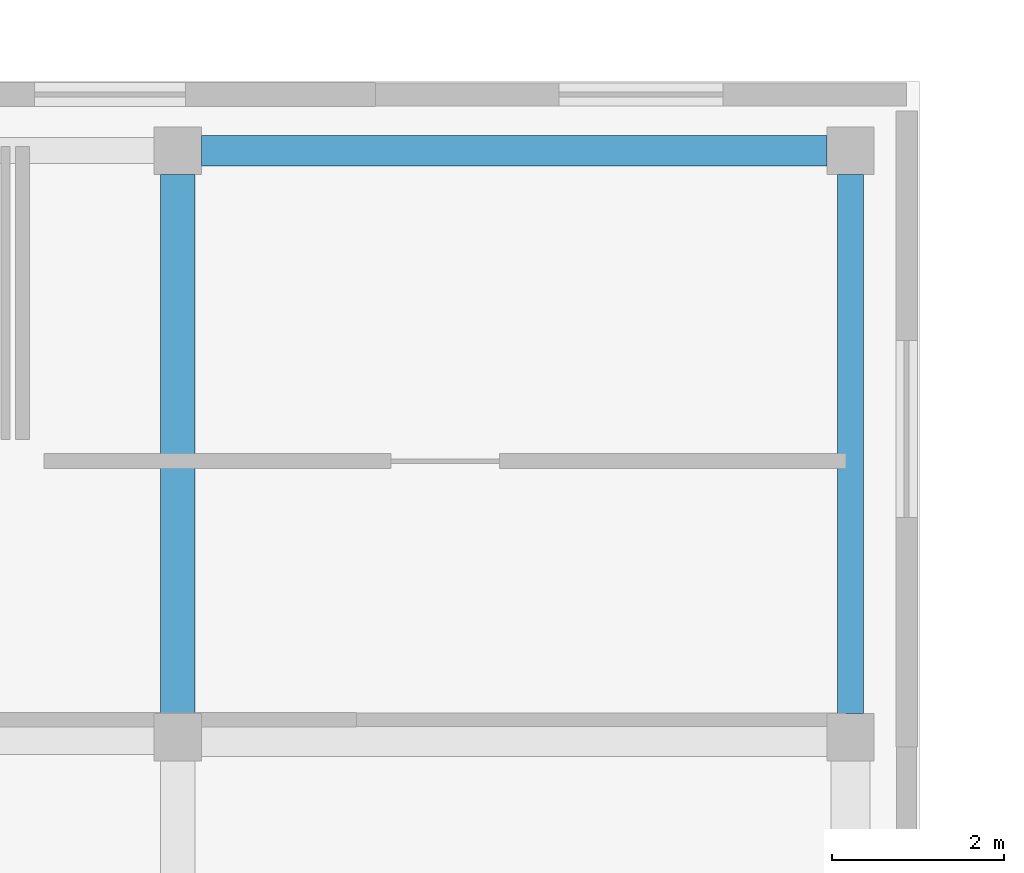
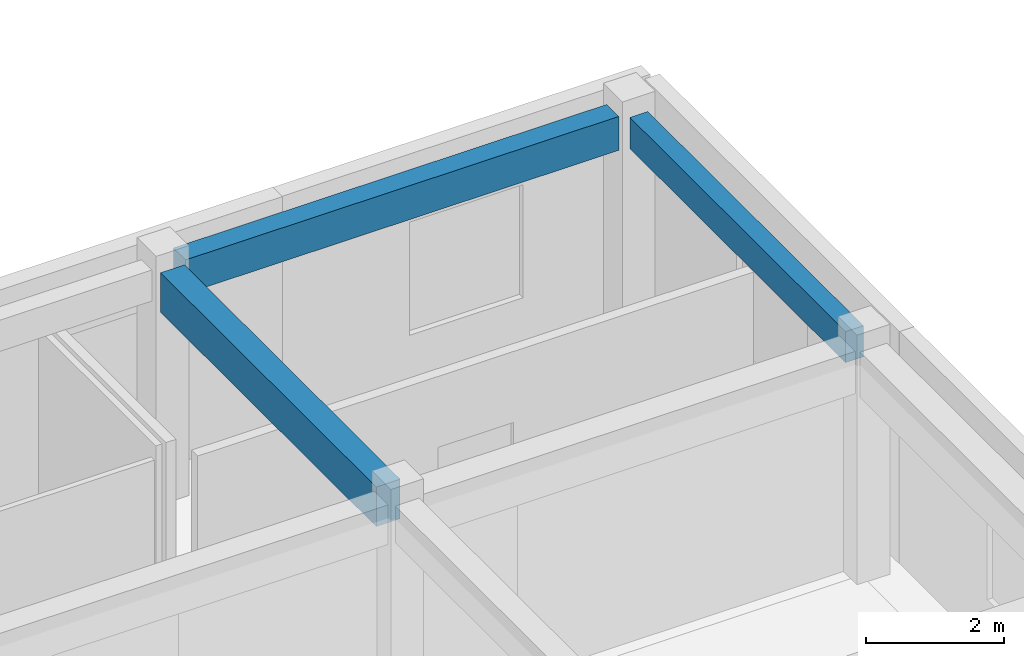
# One storey, part 54 of 142: 3 beams.
"""IFC4 building model written with IfcOpenShell, lengths in metres."""

from ifc_helpers import new_model, si_unit, direction, frame, origin, origin_2d, place, context, subcontext, project, spatial, rectangle, extrude, material, material_profile, profile_set, type_object, element, save


model = new_model("IFC4")

# Units and contexts
model_context = context("Model", 3, precision=1e-05, world=origin(), true_north=direction((0.0, 1.0)))
body_context = subcontext(model_context, "Body", "Model", "MODEL_VIEW")
ifc_project = project(units=[si_unit("LENGTHUNIT", "METRE"), si_unit("AREAUNIT", "SQUARE_METRE"), si_unit("VOLUMEUNIT", "CUBIC_METRE"), si_unit("PLANEANGLEUNIT", "RADIAN"), si_unit("MASSUNIT", "GRAM", prefix="KILO")], contexts=[model_context])

# Site, building, storey
site_placement = place(None, origin())
site = spatial("IfcSite", under=ifc_project, at=site_placement, CompositionType="ELEMENT")
building_placement = place(site_placement, origin())
building = spatial("IfcBuilding", under=site, at=building_placement, Name="Valcora Specialist Clinic", CompositionType="ELEMENT")
storey_placement = place(building_placement, frame((0.0, 0.0, 5.10009765625)))
storey = spatial("IfcBuildingStorey", under=building, at=storey_placement, Name="L01", CompositionType="ELEMENT", Elevation=5.10009765625)

# Beams
ifc_material = material(Name="Concrete C40/50", Category="concrete")
ifc_material_profile_1 = material_profile(ifc_material, rectangle(XDim=0.300048828125, YDim=0.550048828125, at=origin_2d()), Name="RC-BM-300X550")
ifc_profile_set_1 = profile_set([ifc_material_profile_1], Name="Concrete C40/50")
beam_type_1 = type_object("IfcBeamType", Name="TY-BM-RC300X550", PredefinedType="BEAM", material=ifc_profile_set_1)
beam_1_placement = place(storey_placement, frame((122.800048828125, 15.47509765625, 3.829833984375), z_axis=(0.0, 1.0, 0.0), x_axis=(-1.0, 0.0, 0.0)))
element("IfcBeam", 1, at=beam_1_placement, inside=storey, type_object=beam_type_1, Name="Beam BM-L01-1355", PredefinedType="BEAM", context=body_context, shape_type="SweptSolid", body=[
    extrude(rectangle(XDim=0.300048828125, YDim=0.550048828125, at=origin_2d()), origin(), (0.0, 0.0, 1.0), 6.25),
])
ifc_material_profile_2 = material_profile(ifc_material, rectangle(XDim=0.35009765625, YDim=0.60009765625, at=origin_2d()), Name="RC-BM-350X600")
ifc_profile_set_2 = profile_set([ifc_material_profile_2], Name="Concrete C40/50")
beam_type_2 = type_object("IfcBeamType", Name="TY-BM-RC350X600", PredefinedType="BEAM", material=ifc_profile_set_2)
beam_2_placement = place(storey_placement, frame((115.27490234375, 22.0, 3.804931640625), z_axis=(1.0, 0.0, 0.0), x_axis=(0.0, 1.0, 0.0)))
element("IfcBeam", 2, at=beam_2_placement, inside=storey, type_object=beam_type_2, Name="Beam BM-L01-1328", PredefinedType="BEAM", context=body_context, shape_type="SweptSolid", body=[
    extrude(rectangle(XDim=0.35009765625, YDim=0.60009765625, at=origin_2d()), origin(), (0.0, 0.0, 1.0), 7.25),
])
ifc_material_profile_3 = material_profile(ifc_material, rectangle(XDim=0.39990234375, YDim=0.699951171875, at=origin_2d()), Name="RC-BM-400X700")
ifc_profile_set_3 = profile_set([ifc_material_profile_3], Name="Concrete C40/50")
beam_type_3 = type_object("IfcBeamType", Name="TY-BM-RC400X700", PredefinedType="BEAM", material=ifc_profile_set_3)
beam_3_placement = place(storey_placement, frame((115.0, 15.47509765625, 3.7548828125), z_axis=(0.0, 1.0, 0.0), x_axis=(-1.0, 0.0, 0.0)))
element("IfcBeam", 3, at=beam_3_placement, inside=storey, type_object=beam_type_3, Name="Beam BM-L01-1352", PredefinedType="BEAM", context=body_context, shape_type="SweptSolid", body=[
    extrude(rectangle(XDim=0.39990234375, YDim=0.699951171875, at=origin_2d()), origin(), (0.0, 0.0, 1.0), 6.25),
])

save(model, "model.ifc")
